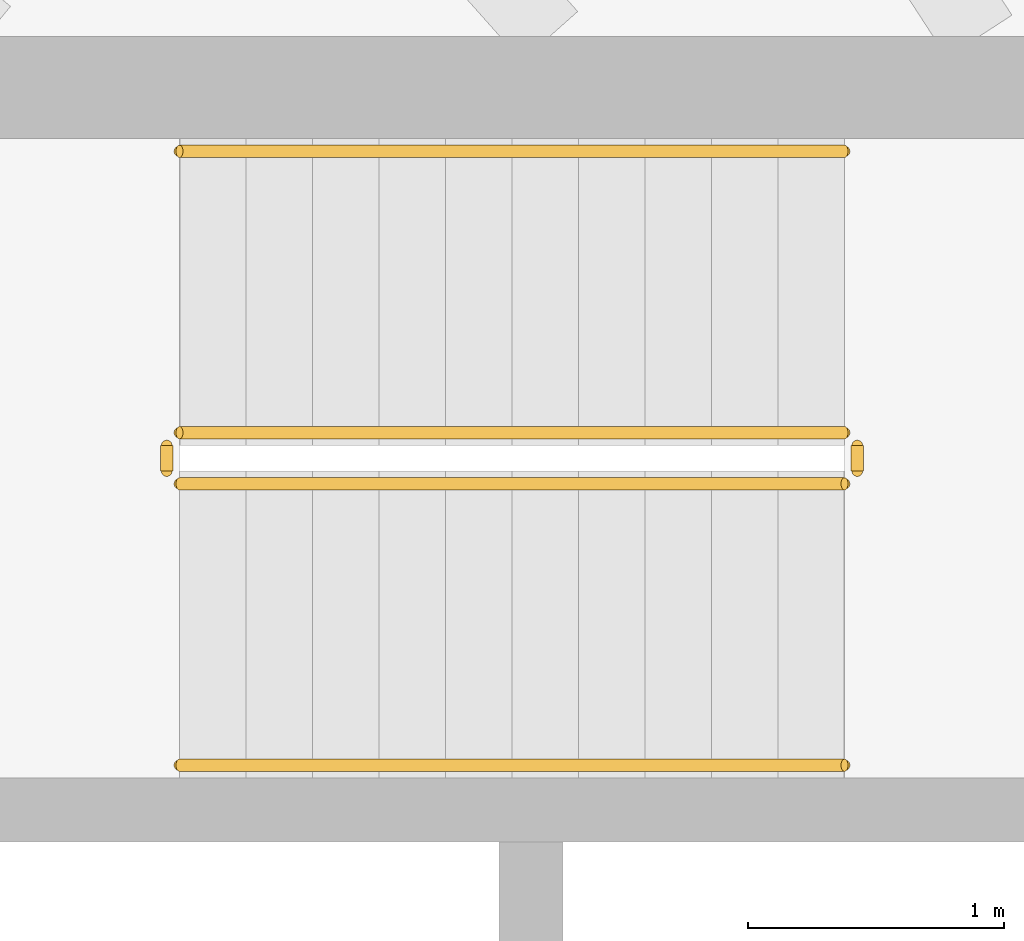
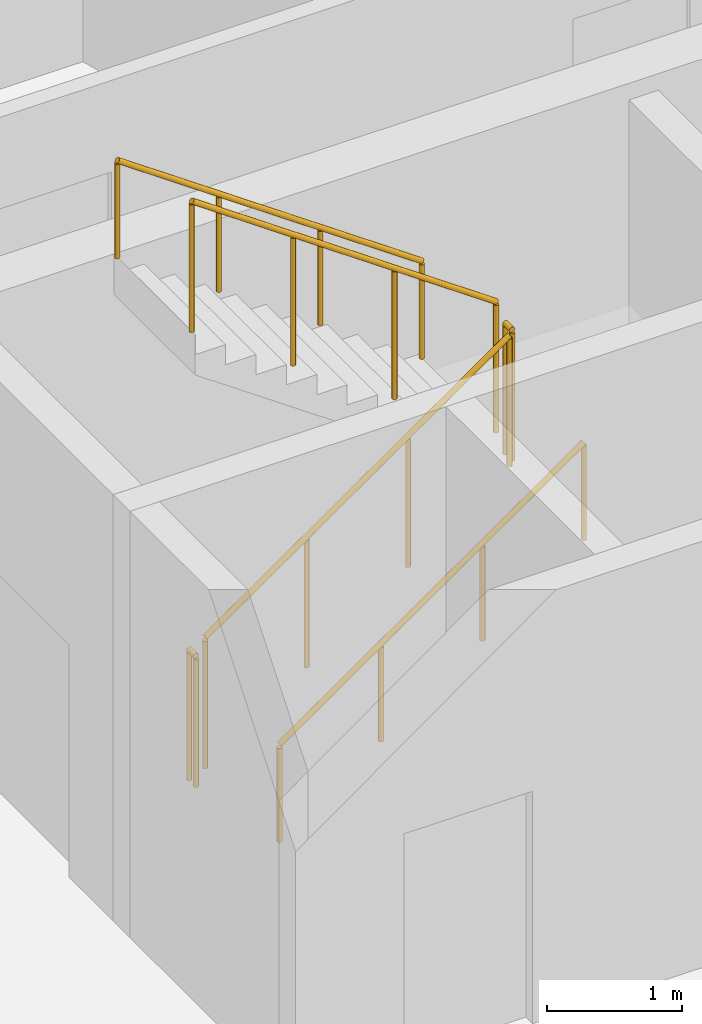
# One storey, part 15 of 19: 6 railings.
"""IFC4 building model written with IfcOpenShell, lengths in metres."""

from ifc_helpers import new_model, si_unit, direction, frame, origin, origin_2d, place, context, subcontext, project, spatial, circle, extrude, material, type_object, element, save


model = new_model("IFC4")

# Units and contexts
model_context = context("Model", 3, precision=1e-05, world=origin(), true_north=direction((0.0, 1.0)))
body_context = subcontext(model_context, "Body", "Model", "MODEL_VIEW")
ifc_project = project(units=[si_unit("LENGTHUNIT", "METRE"), si_unit("AREAUNIT", "SQUARE_METRE"), si_unit("VOLUMEUNIT", "CUBIC_METRE"), si_unit("PLANEANGLEUNIT", "RADIAN"), si_unit("MASSUNIT", "GRAM", prefix="KILO")], contexts=[model_context])

# Site, building, storey
site_placement = place(None, origin())
site = spatial("IfcSite", under=ifc_project, at=site_placement, CompositionType="ELEMENT")
building_placement = place(site_placement, origin())
building = spatial("IfcBuilding", under=site, at=building_placement, Name="Sahrelin Media Tower", CompositionType="ELEMENT")
storey_placement = place(building_placement, frame((0.0, 0.0, 287.0)))
storey = spatial("IfcBuildingStorey", under=building, at=storey_placement, Name="L63", CompositionType="ELEMENT", Elevation=287.0)

# Railings
ifc_material = material(Name="Steel S355", Category="steel")
railing_type_1 = type_object("IfcRailingType", Name="Stair guard 1200", PredefinedType="GUARDRAIL", material=ifc_material)
railing_1_placement = place(storey_placement, frame((-7.675048828125, 5.25, 0.181884765625)))
element("IfcRailing", 1, at=railing_1_placement, inside=storey, type_object=railing_type_1, Name="L63 ST1 stair guard 1", PredefinedType="GUARDRAIL", context=body_context, shape_type="SweptSolid", body=[
    extrude(circle(Radius=0.02392578125, at=origin_2d()), frame((0.0, 0.0, 1.17578125), z_axis=(0.819521025635, 0.0, 0.573049115296), x_axis=(0.0, 1.0, 0.0)), (0.0, 0.0, 1.0), 3.172607421875),
    extrude(circle(Radius=0.02099609375, at=origin_2d()), origin(), (0.0, 0.0, 1.0), 1.15185546875),
    extrude(circle(Radius=0.02099609375, at=origin_2d()), frame((0.86669921875, 0.0, 0.60595703125)), (0.0, 0.0, 1.0), 1.15185546875),
    extrude(circle(Radius=0.02099609375, at=origin_2d()), frame((1.7333984375, 0.0, 1.212158203125)), (0.0, 0.0, 1.0), 1.15185546875),
    extrude(circle(Radius=0.02099609375, at=origin_2d()), frame((2.60009765625, 0.0, 1.818115234375)), (0.0, 0.0, 1.0), 1.15185546875),
])
railing_2_placement = place(storey_placement, frame((-5.02490234375, 5.300048828125, 2.0)))
element("IfcRailing", 2, at=railing_2_placement, inside=storey, type_object=railing_type_1, Name="L63 ST1 stair guard 2", PredefinedType="GUARDRAIL", context=body_context, shape_type="SweptSolid", body=[
    extrude(circle(Radius=0.02392578125, at=origin_2d()), frame((0.0, 0.0, 1.17578125), z_axis=(0.0, 1.0, 0.0), x_axis=(-1.0, 0.0, 0.0)), (0.0, 0.0, 1.0), 0.099853515625),
    extrude(circle(Radius=0.02099609375, at=origin_2d()), origin(), (0.0, 0.0, 1.0), 1.15185546875),
    extrude(circle(Radius=0.02099609375, at=origin_2d()), frame((0.0, 0.099853515625, 0.0)), (0.0, 0.0, 1.0), 1.15185546875),
])
railing_3_placement = place(storey_placement, frame((-5.074951171875, 5.449951171875, 2.181884765625)))
element("IfcRailing", 3, at=railing_3_placement, inside=storey, type_object=railing_type_1, Name="L63 ST1 stair guard 3", PredefinedType="GUARDRAIL", context=body_context, shape_type="SweptSolid", body=[
    extrude(circle(Radius=0.02392578125, at=origin_2d()), frame((0.0, 0.0, 1.17578125), z_axis=(-0.819521025635, 0.0, 0.573049115296), x_axis=(0.0, -1.0, 0.0)), (0.0, 0.0, 1.0), 3.172607421875),
    extrude(circle(Radius=0.02099609375, at=origin_2d()), origin(), (0.0, 0.0, 1.0), 1.15185546875),
    extrude(circle(Radius=0.02099609375, at=origin_2d()), frame((-0.86669921875, 0.0, 0.60595703125)), (0.0, 0.0, 1.0), 1.15185546875),
    extrude(circle(Radius=0.02099609375, at=origin_2d()), frame((-1.7333984375, 0.0, 1.212158203125)), (0.0, 0.0, 1.0), 1.15185546875),
    extrude(circle(Radius=0.02099609375, at=origin_2d()), frame((-2.60009765625, 0.0, 1.818115234375)), (0.0, 0.0, 1.0), 1.15185546875),
])
railing_4_placement = place(storey_placement, frame((-7.72509765625, 5.300048828125, 0.0)))
element("IfcRailing", 4, at=railing_4_placement, inside=storey, type_object=railing_type_1, Name="L63 ST1 stair guard 4", PredefinedType="GUARDRAIL", context=body_context, shape_type="SweptSolid", body=[
    extrude(circle(Radius=0.02392578125, at=origin_2d()), frame((0.0, 0.0, 1.17578125), z_axis=(0.0, 1.0, 0.0), x_axis=(-1.0, 0.0, 0.0)), (0.0, 0.0, 1.0), 0.099853515625),
    extrude(circle(Radius=0.02099609375, at=origin_2d()), origin(), (0.0, 0.0, 1.0), 1.15185546875),
    extrude(circle(Radius=0.02099609375, at=origin_2d()), frame((0.0, 0.099853515625, 0.0)), (0.0, 0.0, 1.0), 1.15185546875),
])
railing_type_2 = type_object("IfcRailingType", Name="Stair handrail 900", PredefinedType="HANDRAIL", material=ifc_material)
railing_5_placement = place(storey_placement, frame((-7.675048828125, 4.14990234375, 0.181884765625)))
element("IfcRailing", 5, at=railing_5_placement, inside=storey, type_object=railing_type_2, Name="L63 ST1 stair handrail 1", PredefinedType="HANDRAIL", context=body_context, shape_type="SweptSolid", body=[
    extrude(circle(Radius=0.02392578125, at=origin_2d()), frame((0.0, 0.0, 0.8759765625), z_axis=(0.819521025635, 0.0, 0.573049115296), x_axis=(0.0, 1.0, 0.0)), (0.0, 0.0, 1.0), 3.172607421875),
    extrude(circle(Radius=0.02099609375, at=origin_2d()), origin(), (0.0, 0.0, 1.0), 0.851806640625),
    extrude(circle(Radius=0.02099609375, at=origin_2d()), frame((0.86669921875, 0.0, 0.60595703125)), (0.0, 0.0, 1.0), 0.851806640625),
    extrude(circle(Radius=0.02099609375, at=origin_2d()), frame((1.7333984375, 0.0, 1.212158203125)), (0.0, 0.0, 1.0), 0.851806640625),
    extrude(circle(Radius=0.02099609375, at=origin_2d()), frame((2.60009765625, 0.0, 1.818115234375)), (0.0, 0.0, 1.0), 0.851806640625),
])
railing_6_placement = place(storey_placement, frame((-5.074951171875, 6.550048828125, 2.181884765625)))
element("IfcRailing", 6, at=railing_6_placement, inside=storey, type_object=railing_type_2, Name="L63 ST1 stair handrail 2", PredefinedType="HANDRAIL", context=body_context, shape_type="SweptSolid", body=[
    extrude(circle(Radius=0.02392578125, at=origin_2d()), frame((0.0, 0.0, 0.8759765625), z_axis=(-0.819521025635, 0.0, 0.573049115296), x_axis=(0.0, -1.0, 0.0)), (0.0, 0.0, 1.0), 3.172607421875),
    extrude(circle(Radius=0.02099609375, at=origin_2d()), origin(), (0.0, 0.0, 1.0), 0.851806640625),
    extrude(circle(Radius=0.02099609375, at=origin_2d()), frame((-0.86669921875, 0.0, 0.60595703125)), (0.0, 0.0, 1.0), 0.851806640625),
    extrude(circle(Radius=0.02099609375, at=origin_2d()), frame((-1.7333984375, 0.0, 1.212158203125)), (0.0, 0.0, 1.0), 0.851806640625),
    extrude(circle(Radius=0.02099609375, at=origin_2d()), frame((-2.60009765625, 0.0, 1.818115234375)), (0.0, 0.0, 1.0), 0.851806640625),
])

save(model, "model.ifc")
